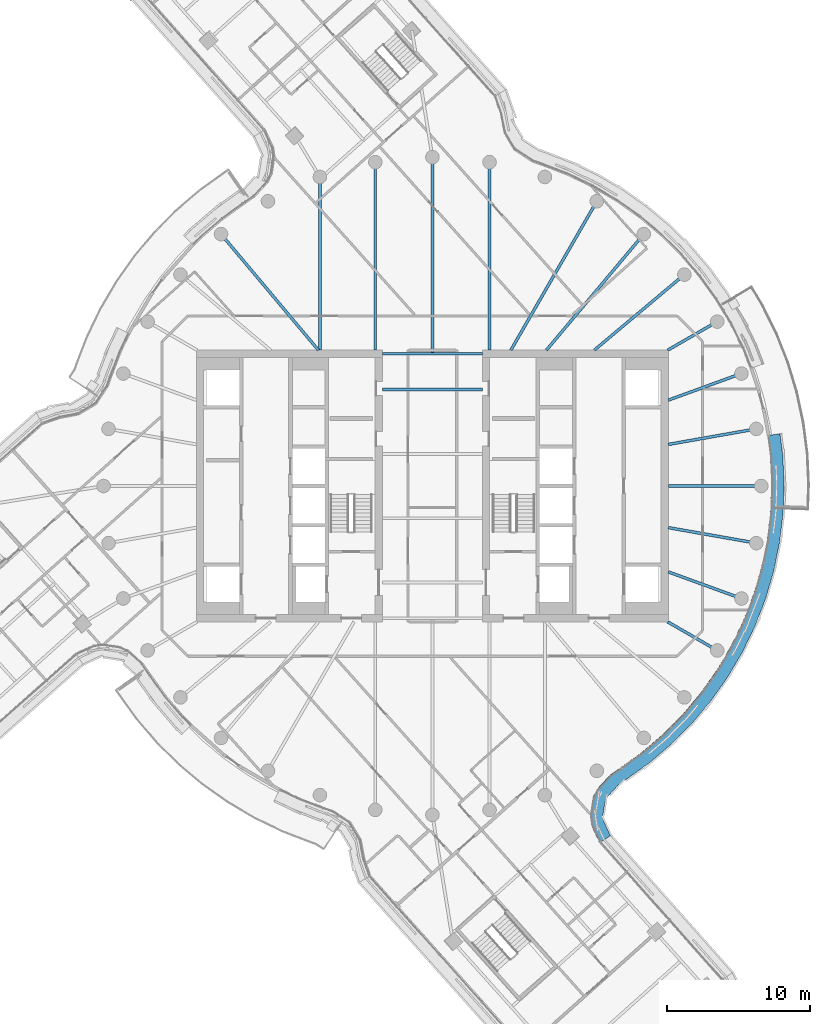
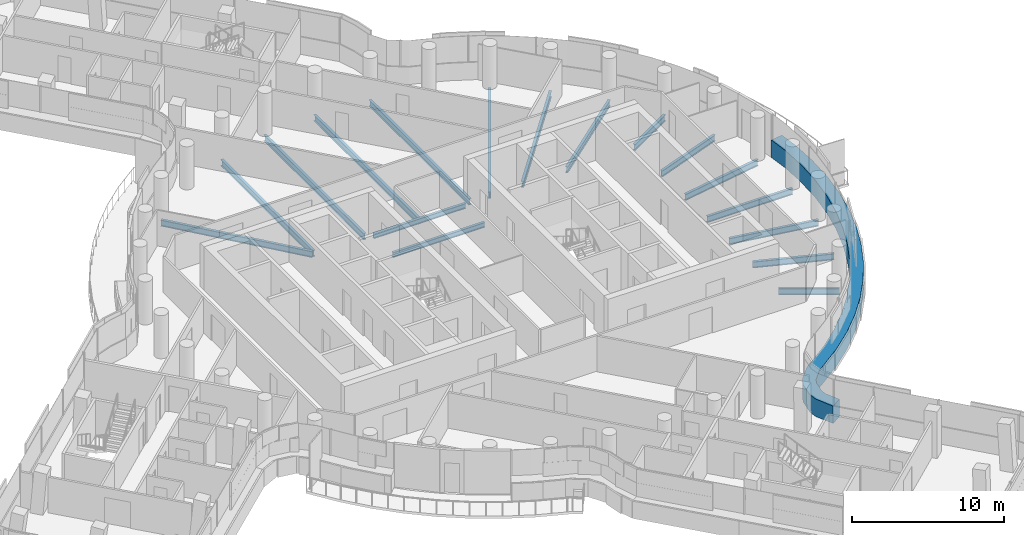
# One storey, part 11 of 33: 17 beams, 1 member, 1 element without a shape of its own.
"""IFC4 building model written with IfcOpenShell, lengths in metres."""

from ifc_helpers import new_model, si_unit, direction, frame, origin, origin_2d, place, context, subcontext, project, spatial, polyline, i_section, outline, extrude, material, layer, layer_set, material_profile, profile_set, type_object, element, aggregate, save


model = new_model("IFC4")

# Units and contexts
model_context = context("Model", 3, precision=1e-05, world=origin(), true_north=direction((0.0, 1.0)))
body_context = subcontext(model_context, "Body", "Model", "MODEL_VIEW")
ifc_project = project(units=[si_unit("LENGTHUNIT", "METRE"), si_unit("AREAUNIT", "SQUARE_METRE"), si_unit("VOLUMEUNIT", "CUBIC_METRE"), si_unit("PLANEANGLEUNIT", "RADIAN"), si_unit("MASSUNIT", "GRAM", prefix="KILO")], contexts=[model_context])

# Site, building, storey
site_placement = place(None, origin())
site = spatial("IfcSite", under=ifc_project, at=site_placement, CompositionType="ELEMENT")
building_placement = place(site_placement, origin())
building = spatial("IfcBuilding", under=site, at=building_placement, Name="Tamarind Cross Interchange Tower", CompositionType="ELEMENT")
storey_placement = place(building_placement, frame((0.0, 0.0, 186.10009765625)))
storey = spatial("IfcBuildingStorey", under=building, at=storey_placement, Name="L46", CompositionType="ELEMENT", Elevation=186.10009765625)

# Beams
ifc_material_1 = material(Name="Steel Q355B", Category="steel")
ifc_material_profile_1 = material_profile(ifc_material_1, i_section(OverallWidth=0.199951171875, OverallDepth=0.39990234375, WebThickness=0.008056640625, FlangeThickness=0.012939453125, FilletRadius=0.01611328125, at=origin_2d()), Name="HN 400x200x8x13")
ifc_profile_set_1 = profile_set([ifc_material_profile_1], Name="Steel Q355B")
beam_type_1 = type_object("IfcBeamType", Name="Composite beam HN 400x200x8x13 Q355B", PredefinedType="BEAM", material=ifc_profile_set_1)
for number, where, z_axis, x_axis, name in (
    (1, (-3.5, 6.75, -0.340087890625), (1.0, 0.0, 0.0), (0.0, 1.0, 0.0), "Beam G6.75"),
    (2, (-3.5, 9.25, -0.340087890625), (1.0, 0.0, 0.0), (0.0, 1.0, 0.0), "Beam G9.25"),
):
    element("IfcBeam", number, at=place(storey_placement, frame(where, z_axis=z_axis, x_axis=x_axis)), inside=storey, type_object=beam_type_1, Name=name, PredefinedType="BEAM", context=body_context, shape_type="SweptSolid", body=[
        extrude(i_section(OverallWidth=0.199951171875, OverallDepth=0.39990234375, WebThickness=0.008056640625, FlangeThickness=0.012939453125, FilletRadius=0.01611328125, at=origin_2d()), origin(), (0.0, 0.0, 1.0), 7.0),
    ])
ifc_material_profile_2 = material_profile(ifc_material_1, i_section(OverallWidth=0.198974609375, OverallDepth=0.49609375, WebThickness=0.009033203125, FlangeThickness=0.013916015625, FilletRadius=0.012939453125, at=origin_2d()), Name="HN 496x199x9x14")
ifc_profile_set_2 = profile_set([ifc_material_profile_2], Name="Steel Q355B")
beam_type_2 = type_object("IfcBeamType", Name="Composite beam HN 496x199x9x14 Q355B", PredefinedType="BEAM", material=ifc_profile_set_2)
beam_1_placement = place(storey_placement, frame((23.0, 0.0, -0.38818359375), z_axis=(-1.0, 0.0, 0.0), x_axis=(0.0, -1.0, 0.0)))
element("IfcBeam", 3, at=beam_1_placement, inside=storey, type_object=beam_type_2, Name="Beam HH00", PredefinedType="BEAM", context=body_context, shape_type="SweptSolid", body=[
    extrude(i_section(OverallWidth=0.198974609375, OverallDepth=0.49609375, WebThickness=0.009033203125, FlangeThickness=0.013916015625, FilletRadius=0.012939453125, at=origin_2d()), origin(), (0.0, 0.0, 1.0), 6.5),
])
beam_2_placement = place(storey_placement, frame((22.650634765625, 3.993896484375, -0.38818359375), z_axis=(-0.984809127561, -0.173640382036, 0.0), x_axis=(0.173640382036, -0.984809127561, 0.0)))
element("IfcBeam", 4, at=beam_2_placement, inside=storey, type_object=beam_type_2, Name="Beam HH01", PredefinedType="BEAM", context=body_context, shape_type="SweptSolid", body=[
    extrude(i_section(OverallWidth=0.198974609375, OverallDepth=0.49609375, WebThickness=0.009033203125, FlangeThickness=0.013916015625, FilletRadius=0.012939453125, at=origin_2d()), origin(), (0.0, 0.0, 1.0), 6.24560546875),
])
beam_3_placement = place(storey_placement, frame((21.613037109375, 7.866455078125, -0.38818359375), z_axis=(-0.939701685589, -0.341995236956, 0.0), x_axis=(0.341995236956, -0.939701685589, 0.0)))
element("IfcBeam", 5, at=beam_3_placement, inside=storey, type_object=beam_type_2, Name="Beam HH02", PredefinedType="BEAM", context=body_context, shape_type="SweptSolid", body=[
    extrude(i_section(OverallWidth=0.198974609375, OverallDepth=0.49609375, WebThickness=0.009033203125, FlangeThickness=0.013916015625, FilletRadius=0.012939453125, at=origin_2d()), origin(), (0.0, 0.0, 1.0), 5.441162109375),
])
beam_4_placement = place(storey_placement, frame((19.918701171875, 11.5, -0.38818359375), z_axis=(-0.866026010844, -0.49999894854, 0.0), x_axis=(0.49999894854, -0.866026010844, 0.0)))
element("IfcBeam", 6, at=beam_4_placement, inside=storey, type_object=beam_type_2, Name="Beam HH03", PredefinedType="BEAM", context=body_context, shape_type="SweptSolid", body=[
    extrude(i_section(OverallWidth=0.198974609375, OverallDepth=0.49609375, WebThickness=0.009033203125, FlangeThickness=0.013916015625, FilletRadius=0.012939453125, at=origin_2d()), origin(), (0.0, 0.0, 1.0), 4.0),
])
beam_5_placement = place(storey_placement, frame((17.619140625, 14.7841796875, -0.38818359375), z_axis=(-0.766040580814, -0.642792212574, 0.0), x_axis=(0.642792212574, -0.766040580814, 0.0)))
element("IfcBeam", 7, at=beam_5_placement, inside=storey, type_object=beam_type_2, Name="Beam HH04", PredefinedType="BEAM", context=body_context, shape_type="SweptSolid", body=[
    extrude(i_section(OverallWidth=0.198974609375, OverallDepth=0.49609375, WebThickness=0.009033203125, FlangeThickness=0.013916015625, FilletRadius=0.012939453125, at=origin_2d()), origin(), (0.0, 0.0, 1.0), 8.220703125),
])
beam_6_placement = place(storey_placement, frame((14.7841796875, 17.619140625, -0.38818359375), z_axis=(-0.642786293979, -0.766045547127, 0.0), x_axis=(0.766045547127, -0.642786293979, 0.0)))
element("IfcBeam", 8, at=beam_6_placement, inside=storey, type_object=beam_type_2, Name="Beam HH05", PredefinedType="BEAM", context=body_context, shape_type="SweptSolid", body=[
    extrude(i_section(OverallWidth=0.198974609375, OverallDepth=0.49609375, WebThickness=0.009033203125, FlangeThickness=0.013916015625, FilletRadius=0.012939453125, at=origin_2d()), origin(), (0.0, 0.0, 1.0), 10.598876953125),
])
beam_7_placement = place(storey_placement, frame((11.5, 19.918701171875, -0.38818359375), z_axis=(-0.499993565836, -0.866029118519, 0.0), x_axis=(0.866029118519, -0.499993565836, 0.0)))
element("IfcBeam", 9, at=beam_7_placement, inside=storey, type_object=beam_type_2, Name="Beam HH06", PredefinedType="BEAM", context=body_context, shape_type="SweptSolid", body=[
    extrude(i_section(OverallWidth=0.198974609375, OverallDepth=0.49609375, WebThickness=0.009033203125, FlangeThickness=0.013916015625, FilletRadius=0.012939453125, at=origin_2d()), origin(), (0.0, 0.0, 1.0), 12.030517578125),
])
beam_8_placement = place(storey_placement, frame((3.993896484375, 22.650634765625, -0.38818359375), z_axis=(0.0, -1.0, 0.0), x_axis=(1.0, 0.0, 0.0)))
element("IfcBeam", 10, at=beam_8_placement, inside=storey, type_object=beam_type_2, Name="Beam HH08", PredefinedType="BEAM", context=body_context, shape_type="SweptSolid", body=[
    extrude(i_section(OverallWidth=0.198974609375, OverallDepth=0.49609375, WebThickness=0.009033203125, FlangeThickness=0.013916015625, FilletRadius=0.012939453125, at=origin_2d()), origin(), (0.0, 0.0, 1.0), 13.150634765625),
])
beam_9_placement = place(storey_placement, frame((0.0, 23.0, -0.38818359375), z_axis=(0.0, -1.0, 0.0), x_axis=(1.0, 0.0, 0.0)))
element("IfcBeam", 11, at=beam_9_placement, inside=storey, type_object=beam_type_2, Name="Beam HH09", PredefinedType="BEAM", context=body_context, shape_type="SweptSolid", body=[
    extrude(i_section(OverallWidth=0.198974609375, OverallDepth=0.49609375, WebThickness=0.009033203125, FlangeThickness=0.013916015625, FilletRadius=0.012939453125, at=origin_2d()), origin(), (0.0, 0.0, 1.0), 13.75),
])
beam_10_placement = place(storey_placement, frame((-3.993896484375, 22.650634765625, -0.38818359375), z_axis=(0.0, -1.0, 0.0), x_axis=(1.0, 0.0, 0.0)))
element("IfcBeam", 12, at=beam_10_placement, inside=storey, type_object=beam_type_2, Name="Beam HH10", PredefinedType="BEAM", context=body_context, shape_type="SweptSolid", body=[
    extrude(i_section(OverallWidth=0.198974609375, OverallDepth=0.49609375, WebThickness=0.009033203125, FlangeThickness=0.013916015625, FilletRadius=0.012939453125, at=origin_2d()), origin(), (0.0, 0.0, 1.0), 13.150634765625),
])
beam_11_placement = place(storey_placement, frame((-7.866455078125, 21.613037109375, -0.38818359375), z_axis=(0.0, -1.0, 0.0), x_axis=(1.0, 0.0, 0.0)))
element("IfcBeam", 13, at=beam_11_placement, inside=storey, type_object=beam_type_2, Name="Beam HH11", PredefinedType="BEAM", context=body_context, shape_type="SweptSolid", body=[
    extrude(i_section(OverallWidth=0.198974609375, OverallDepth=0.49609375, WebThickness=0.009033203125, FlangeThickness=0.013916015625, FilletRadius=0.012939453125, at=origin_2d()), origin(), (0.0, 0.0, 1.0), 12.113037109375),
])
beam_12_placement = place(storey_placement, frame((-14.7841796875, 17.619140625, -0.38818359375), z_axis=(0.642786293979, -0.766045547127, 0.0), x_axis=(0.766045547127, 0.642786293979, 0.0)))
element("IfcBeam", 14, at=beam_12_placement, inside=storey, type_object=beam_type_2, Name="Beam HH13", PredefinedType="BEAM", context=body_context, shape_type="SweptSolid", body=[
    extrude(i_section(OverallWidth=0.198974609375, OverallDepth=0.49609375, WebThickness=0.009033203125, FlangeThickness=0.013916015625, FilletRadius=0.012939453125, at=origin_2d()), origin(), (0.0, 0.0, 1.0), 10.598876953125),
])
beam_13_placement = place(storey_placement, frame((19.918701171875, -11.5, -0.38818359375), z_axis=(-0.866026010844, 0.49999894854, 0.0), x_axis=(-0.49999894854, -0.866026010844, 0.0)))
element("IfcBeam", 15, at=beam_13_placement, inside=storey, type_object=beam_type_2, Name="Beam HH33", PredefinedType="BEAM", context=body_context, shape_type="SweptSolid", body=[
    extrude(i_section(OverallWidth=0.198974609375, OverallDepth=0.49609375, WebThickness=0.009033203125, FlangeThickness=0.013916015625, FilletRadius=0.012939453125, at=origin_2d()), origin(), (0.0, 0.0, 1.0), 4.0),
])
beam_14_placement = place(storey_placement, frame((21.613037109375, -7.866455078125, -0.38818359375), z_axis=(-0.939701685589, 0.341995236956, 0.0), x_axis=(-0.341995236956, -0.939701685589, 0.0)))
element("IfcBeam", 16, at=beam_14_placement, inside=storey, type_object=beam_type_2, Name="Beam HH34", PredefinedType="BEAM", context=body_context, shape_type="SweptSolid", body=[
    extrude(i_section(OverallWidth=0.198974609375, OverallDepth=0.49609375, WebThickness=0.009033203125, FlangeThickness=0.013916015625, FilletRadius=0.012939453125, at=origin_2d()), origin(), (0.0, 0.0, 1.0), 5.441162109375),
])
beam_15_placement = place(storey_placement, frame((22.650634765625, -3.993896484375, -0.38818359375), z_axis=(-0.984809127561, 0.173640382036, 0.0), x_axis=(-0.173640382036, -0.984809127561, 0.0)))
element("IfcBeam", 17, at=beam_15_placement, inside=storey, type_object=beam_type_2, Name="Beam HH35", PredefinedType="BEAM", context=body_context, shape_type="SweptSolid", body=[
    extrude(i_section(OverallWidth=0.198974609375, OverallDepth=0.49609375, WebThickness=0.009033203125, FlangeThickness=0.013916015625, FilletRadius=0.012939453125, at=origin_2d()), origin(), (0.0, 0.0, 1.0), 6.24560546875),
])

# Curtain wall, member
ifc_material_2 = material(Name="Aluminium 6063-T6", Category="aluminium")
ifc_layer = layer(ifc_material_2, 0.139892578125)
ifc_layer_set = layer_set([ifc_layer], Name="Aluminium 6063-T6")
curtain_wall_type = type_object("IfcCurtainWallType", Name="Hotel curtain wall, 4.5 m bays", PredefinedType="NOTDEFINED", material=ifc_layer_set)
curtain_wall_placement = place(storey_placement, origin())
curtain_wall = element("IfcCurtainWall", 18, at=curtain_wall_placement, inside=storey, type_object=curtain_wall_type, Name="CWS-L46-06", PredefinedType="NOTDEFINED")
ifc_material_3 = material(Name="Aluminium and insulated spandrel panel", Category="aluminium")
member_type = type_object("IfcMemberType", Name="Floor-edge blade transom", PredefinedType="USERDEFINED", material=ifc_material_3)
member_placement = place(storey_placement, origin())
member = element("IfcMember", 19, at=member_placement, type_object=member_type, Name="CWT-L46-06-0", ObjectType="TRANSOM", PredefinedType="USERDEFINED", context=body_context, shape_type="SweptSolid", body=[
    extrude(outline(polyline([(11.684814453125, -24.954833984375), (11.1015625, -23.701171875), (11.0087890625, -23.052490234375), (11.19580078125, -21.832275390625), (11.478271484375, -21.240966796875), (12.403564453125, -20.226806640625), (13.03759765625, -19.786865234375), (14.634521484375, -18.636474609375), (16.12353515625, -17.3642578125), (17.50244140625, -15.973388671875), (18.76171875, -14.4736328125), (19.892822265625, -12.874755859375), (20.88818359375, -11.188232421875), (21.74072265625, -9.425048828125), (22.444580078125, -7.597412109375), (22.995361328125, -5.718017578125), (23.38916015625, -3.799560546875), (23.623046875, -1.855224609375), (23.695556640625, 0.10205078125), (23.606201171875, 2.058349609375), (23.4169921875, 3.524658203125), (24.30712890625, 3.65869140625), (24.50341796875, 2.13671875), (24.59619140625, 0.10595703125), (24.52099609375, -1.925537109375), (24.2783203125, -3.944091796875), (23.86962890625, -5.935302734375), (23.2978515625, -7.88623046875), (22.567138671875, -9.783203125), (21.68212890625, -11.613525390625), (20.64892578125, -13.3642578125), (19.474853515625, -15.023681640625), (18.167724609375, -16.580810546875), (16.736572265625, -18.0244140625), (15.19091796875, -19.344970703125), (13.557373046875, -20.52197265625), (13.0, -20.908447265625), (12.23291015625, -21.749267578125), (12.065185546875, -22.10009765625), (11.918701171875, -23.05712890625), (11.9736328125, -23.442138671875), (12.4453125, -24.45556640625), (11.684814453125, -24.954833984375)])), origin(), (0.0, 0.0, 1.0), 1.39990234375),
])
aggregate(curtain_wall, [member])

save(model, "model.ifc")
